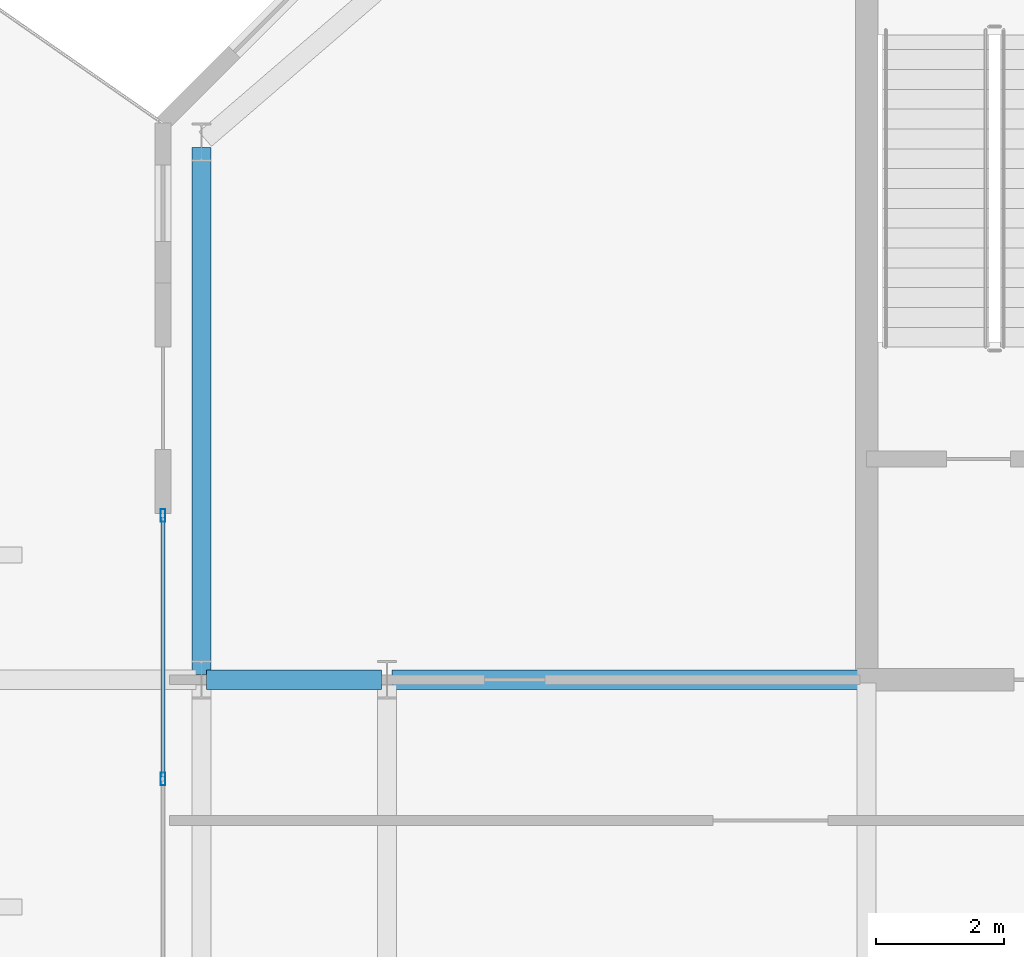
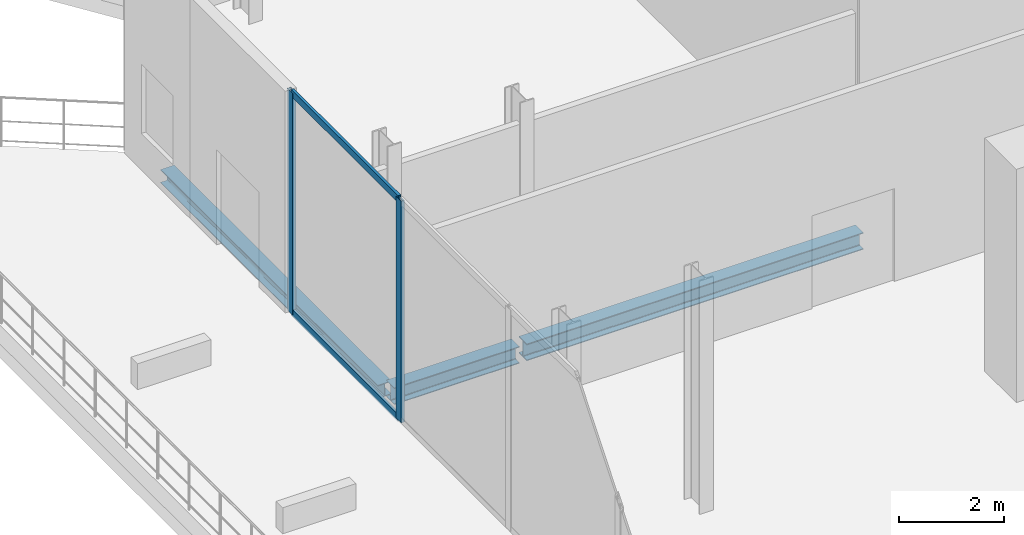
# One storey, part 7 of 18: 4 members, 3 beams, 1 element without a shape of its own.
"""IFC4 building model written with IfcOpenShell, lengths in metres."""

from ifc_helpers import new_model, si_unit, direction, frame, origin, origin_2d, place, context, subcontext, project, spatial, hollow_rectangle, i_section, extrude, material, layer, layer_set, material_profile, profile_set, type_object, element, aggregate, save


model = new_model("IFC4")

# Units and contexts
model_context = context("Model", 3, precision=1e-05, world=origin(), true_north=direction((0.0, 1.0)))
body_context = subcontext(model_context, "Body", "Model", "MODEL_VIEW")
ifc_project = project(units=[si_unit("LENGTHUNIT", "METRE"), si_unit("AREAUNIT", "SQUARE_METRE"), si_unit("VOLUMEUNIT", "CUBIC_METRE"), si_unit("PLANEANGLEUNIT", "RADIAN"), si_unit("MASSUNIT", "GRAM", prefix="KILO")], contexts=[model_context])

# Site, building, storey
site_placement = place(None, origin())
site = spatial("IfcSite", under=ifc_project, at=site_placement, CompositionType="ELEMENT")
building_placement = place(site_placement, origin())
building = spatial("IfcBuilding", under=site, at=building_placement, Name="Catumbela Crestline Tower", CompositionType="ELEMENT")
storey_placement = place(building_placement, frame((0.0, 0.0, 148.8)))
storey = spatial("IfcBuildingStorey", under=building, at=storey_placement, Name="L38", CompositionType="ELEMENT", Elevation=148.8)

# Beams
ifc_material_1 = material(Name="Structural steel S355J2", Category="steel")
ifc_material_profile_1 = material_profile(ifc_material_1, i_section(OverallWidth=0.3, OverallDepth=0.39, WebThickness=0.011, FlangeThickness=0.019, FilletRadius=0.027, at=origin_2d()), Name="HEA 400")
ifc_profile_set_1 = profile_set([ifc_material_profile_1], Name="Structural steel S355J2")
beam_type_1 = type_object("IfcBeamType", Name="BG-HEA400", PredefinedType="BEAM", material=ifc_profile_set_1)
beam_1_placement = place(storey_placement, frame((5.68, 30.8, -0.545), z_axis=(1.0, 0.0, 0.0), x_axis=(0.0, 1.0, 0.0)))
element("IfcBeam", 1, at=beam_1_placement, inside=storey, type_object=beam_type_1, Name="L38 Beam BM-L38-M06", PredefinedType="BEAM", context=body_context, shape_type="SweptSolid", body=[
    extrude(i_section(OverallWidth=0.3, OverallDepth=0.39, WebThickness=0.011, FlangeThickness=0.019, FilletRadius=0.027, at=origin_2d()), origin(), (0.0, 0.0, 1.0), 2.74),
])
beam_2_placement = place(storey_placement, frame((8.58, 30.8, -0.545), z_axis=(1.0, 0.0, 0.0), x_axis=(0.0, 1.0, 0.0)))
element("IfcBeam", 2, at=beam_2_placement, inside=storey, type_object=beam_type_1, Name="L38 Beam BM-L38-M07", PredefinedType="BEAM", context=body_context, shape_type="SweptSolid", body=[
    extrude(i_section(OverallWidth=0.3, OverallDepth=0.39, WebThickness=0.011, FlangeThickness=0.019, FilletRadius=0.027, at=origin_2d()), origin(), (0.0, 0.0, 1.0), 7.37),
])

# Curtain wall, members
ifc_material_2 = material(Name="Aluminium alloy AW-6060-T66", Category="aluminium")
ifc_layer = layer(ifc_material_2, 0.18, Name="Aluminium alloy AW-6060-T66")
ifc_layer_set = layer_set([ifc_layer], Name="Aluminium alloy AW-6060-T66")
curtain_wall_type = type_object("IfcCurtainWallType", Name="CWU-SKY", PredefinedType="USERDEFINED", material=ifc_layer_set)
curtain_wall_placement = place(storey_placement, origin())
curtain_wall = element("IfcCurtainWall", 3, at=curtain_wall_placement, inside=storey, type_object=curtain_wall_type, Name="L38 Unitised Curtain Wall CW-L38-E9S2", ObjectType="UNITISED", PredefinedType="USERDEFINED")
ifc_material_profile_2 = material_profile(ifc_material_2, hollow_rectangle(XDim=0.075, YDim=0.2, WallThickness=0.005, at=origin_2d()), Name="ALU 200x75x5")
ifc_profile_set_2 = profile_set([ifc_material_profile_2], Name="Aluminium alloy AW-6060-T66")
member_type_1 = type_object("IfcMemberType", Name="MUL-200X75", PredefinedType="MULLION", material=ifc_profile_set_2)
member_1_placement = place(storey_placement, frame((5.0, 33.3675, 0.0), z_axis=(0.0, 0.0, 1.0), x_axis=(1.0, 0.0, 0.0)))
member_1 = element("IfcMember", 4, at=member_1_placement, type_object=member_type_1, Name="CWU-SKY mullion 1", PredefinedType="MULLION", context=body_context, shape_type="SweptSolid", body=[
    extrude(hollow_rectangle(XDim=0.075, YDim=0.2, WallThickness=0.005, at=origin_2d()), origin(), (0.0, 0.0, 1.0), 5.13),
])
member_2_placement = place(storey_placement, frame((5.0, 29.25, 0.0), z_axis=(0.0, 0.0, 1.0), x_axis=(1.0, 0.0, 0.0)))
member_2 = element("IfcMember", 5, at=member_2_placement, type_object=member_type_1, Name="CWU-SKY mullion 2", PredefinedType="MULLION", context=body_context, shape_type="SweptSolid", body=[
    extrude(hollow_rectangle(XDim=0.075, YDim=0.2, WallThickness=0.005, at=origin_2d()), origin(), (0.0, 0.0, 1.0), 5.13),
])

# Beam
ifc_material_profile_3 = material_profile(ifc_material_1, i_section(OverallWidth=0.3, OverallDepth=0.31, WebThickness=0.009, FlangeThickness=0.0155, FilletRadius=0.027, at=origin_2d()), Name="HEA 320")
ifc_profile_set_3 = profile_set([ifc_material_profile_3], Name="Structural steel S355J2")
beam_type_2 = type_object("IfcBeamType", Name="BS-HEA320", PredefinedType="SPANDREL", material=ifc_profile_set_3)
beam_3_placement = place(storey_placement, frame((5.6, 30.88, -0.505), z_axis=(0.0, 1.0, 0.0), x_axis=(-1.0, 0.0, 0.0)))
element("IfcBeam", 6, at=beam_3_placement, inside=storey, type_object=beam_type_2, Name="L38 Spandrel SP-L38-SN15", PredefinedType="SPANDREL", context=body_context, shape_type="SweptSolid", body=[
    extrude(i_section(OverallWidth=0.3, OverallDepth=0.31, WebThickness=0.009, FlangeThickness=0.0155, FilletRadius=0.027, at=origin_2d()), origin(), (0.0, 0.0, 1.0), 8.24),
])

# Member
ifc_material_profile_4 = material_profile(ifc_material_2, hollow_rectangle(XDim=0.06, YDim=0.16, WallThickness=0.004, at=origin_2d()), Name="ALU 160x60x4")
ifc_profile_set_4 = profile_set([ifc_material_profile_4], Name="Aluminium alloy AW-6060-T66")
member_type_2 = type_object("IfcMemberType", Name="TRN-160X60", PredefinedType="USERDEFINED", material=ifc_profile_set_4)
member_3_placement = place(storey_placement, frame((5.0, 33.335, 0.03), z_axis=(0.0, -1.0, 0.0), x_axis=(1.0, 0.0, 0.0)))
member_3 = element("IfcMember", 7, at=member_3_placement, type_object=member_type_2, Name="CWU-SKY transom 1.1", ObjectType="TRANSOM", PredefinedType="USERDEFINED", context=body_context, shape_type="SweptSolid", body=[
    extrude(hollow_rectangle(XDim=0.06, YDim=0.16, WallThickness=0.004, at=origin_2d()), origin(), (0.0, 0.0, 1.0), 4.0525),
])

member_4_placement = place(storey_placement, frame((5.0, 33.335, 5.1), z_axis=(0.0, -1.0, 0.0), x_axis=(1.0, 0.0, 0.0)))
member_4 = element("IfcMember", 8, at=member_4_placement, type_object=member_type_2, Name="CWU-SKY transom 1.2", ObjectType="TRANSOM", PredefinedType="USERDEFINED", context=body_context, shape_type="SweptSolid", body=[
    extrude(hollow_rectangle(XDim=0.06, YDim=0.16, WallThickness=0.004, at=origin_2d()), origin(), (0.0, 0.0, 1.0), 4.0525),
])

aggregate(curtain_wall, [member_1, member_2, member_3, member_4])

save(model, "model.ifc")
